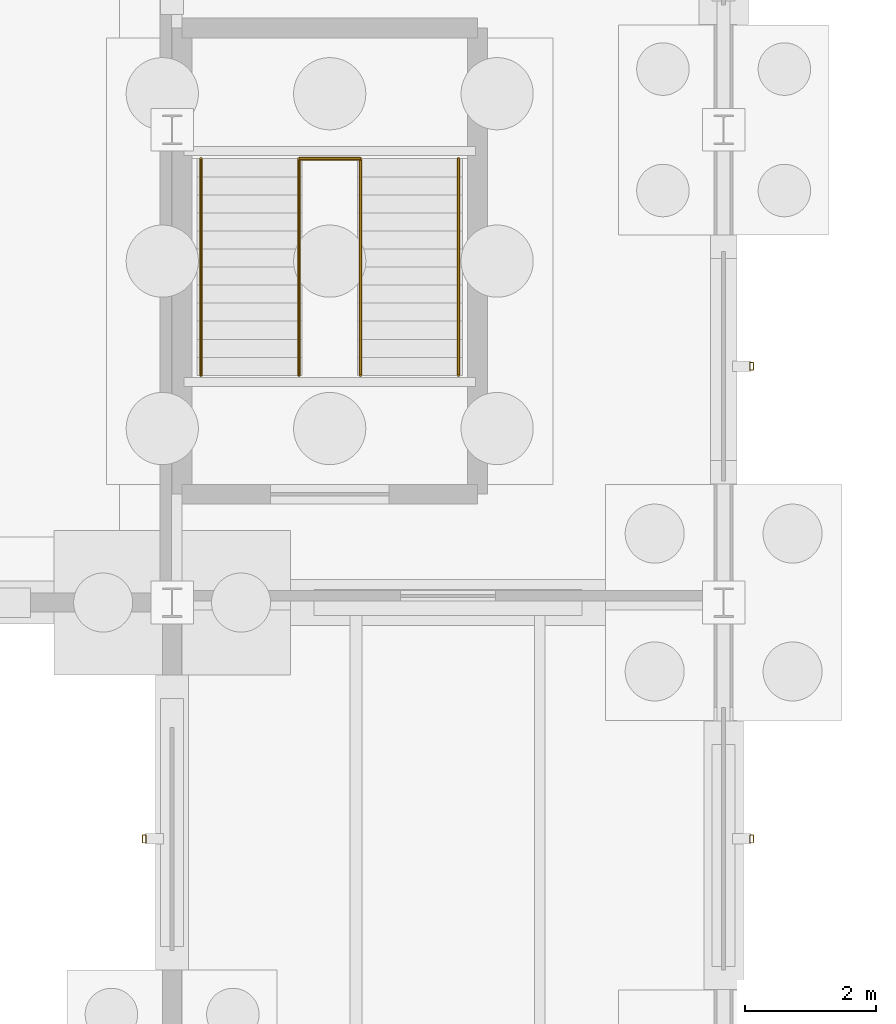
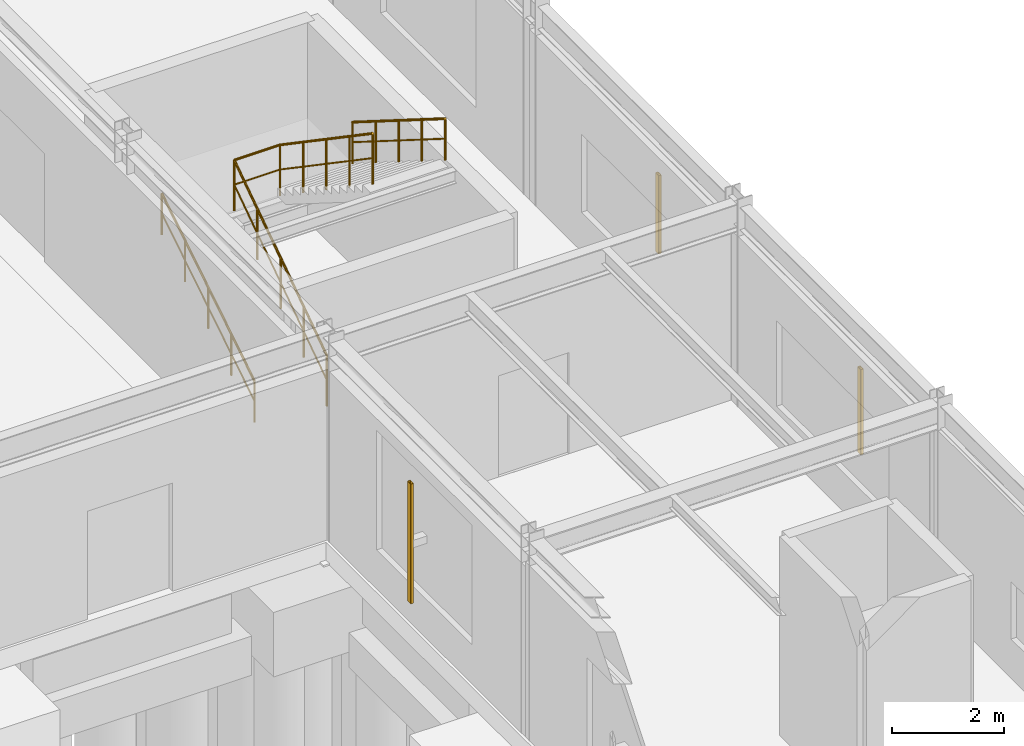
# One storey, part 82 of 93: 5 railings, 3 shading devices.
"""IFC4 building model written with IfcOpenShell, lengths in metres."""

from ifc_helpers import new_model, si_unit, derived_unit, direction, frame, origin, origin_2d, place, context, subcontext, project, spatial, hollow_rectangle, circle, extrude, material, material_profile, profile_set, type_object, element, save


model = new_model("IFC4")

# Units and contexts
model_context = context("Model", 3, precision=1e-05, world=origin(), true_north=direction((0.0, 1.0)))
body_context = subcontext(model_context, "Body", "Model", "MODEL_VIEW")
ifc_project = project(units=[si_unit("LENGTHUNIT", "METRE"), si_unit("AREAUNIT", "SQUARE_METRE"), si_unit("VOLUMEUNIT", "CUBIC_METRE"), si_unit("PLANEANGLEUNIT", "RADIAN"), si_unit("MASSUNIT", "GRAM", prefix="KILO"), derived_unit("THERMALTRANSMITTANCEUNIT", [(si_unit("MASSUNIT", "GRAM", prefix="KILO"), 1), (si_unit("TIMEUNIT", "SECOND"), -3), (si_unit("THERMODYNAMICTEMPERATUREUNIT", "KELVIN"), -1)])], contexts=[model_context])

# Site, building, storey
site_placement = place(None, origin())
site = spatial("IfcSite", under=ifc_project, at=site_placement, CompositionType="ELEMENT")
building_placement = place(site_placement, origin())
building = spatial("IfcBuilding", under=site, at=building_placement, Name="Kharveza Railside Sports Centre", CompositionType="ELEMENT")
storey_placement = place(building_placement, origin())
storey = spatial("IfcBuildingStorey", under=building, at=storey_placement, Name="L00", CompositionType="ELEMENT", Elevation=0.0)

# Railings
ifc_material_1 = material(Name="Steel S275JR", Category="steel")
railing_type_1 = type_object("IfcRailingType", Name="RL-GD110", PredefinedType="GUARDRAIL", material=ifc_material_1)
railing_1_placement = place(storey_placement, frame((18.72998046875, 89.860107421875, 0.0)))
element("IfcRailing", 1, at=railing_1_placement, inside=storey, type_object=railing_type_1, Name="STR-ST6-L00-GD1", PredefinedType="GUARDRAIL", context=body_context, shape_type="SweptSolid", body=[
    extrude(circle(Radius=0.02392578125, at=origin_2d()), frame((0.0, 0.0, 1.09619140625), z_axis=(0.0, 0.826211823288, 0.56335958593), x_axis=(-1.0, 0.0, 0.0)), (0.0, 0.0, 1.0), 3.993896484375),
    extrude(circle(Radius=0.01611328125, at=origin_2d()), frame((0.0, 0.0, 0.56005859375), z_axis=(0.0, 0.826211823288, 0.56335958593), x_axis=(-1.0, 0.0, 0.0)), (0.0, 0.0, 1.0), 3.993896484375),
    extrude(circle(Radius=0.02099609375, at=origin_2d()), origin(), (0.0, 0.0, 1.0), 1.072021484375),
    extrude(circle(Radius=0.02099609375, at=origin_2d()), frame((0.0, 0.824951171875, 0.5625)), (0.0, 0.0, 1.0), 1.072021484375),
    extrude(circle(Radius=0.02099609375, at=origin_2d()), frame((0.0, 1.64990234375, 1.125)), (0.0, 0.0, 1.0), 1.072021484375),
    extrude(circle(Radius=0.02099609375, at=origin_2d()), frame((0.0, 2.474853515625, 1.6875)), (0.0, 0.0, 1.0), 1.072021484375),
    extrude(circle(Radius=0.02099609375, at=origin_2d()), frame((0.0, 3.2998046875, 2.25)), (0.0, 0.0, 1.0), 1.072021484375),
])
railing_2_placement = place(storey_placement, frame((19.669921875, 93.159912109375, 2.25)))
element("IfcRailing", 2, at=railing_2_placement, inside=storey, type_object=railing_type_1, Name="STR-ST6-L00-GD2", PredefinedType="GUARDRAIL", context=body_context, shape_type="SweptSolid", body=[
    extrude(circle(Radius=0.02392578125, at=origin_2d()), frame((0.0, 0.0, 1.09619140625), z_axis=(0.0, -0.826211823288, 0.56335958593), x_axis=(1.0, 0.0, 0.0)), (0.0, 0.0, 1.0), 3.993896484375),
    extrude(circle(Radius=0.01611328125, at=origin_2d()), frame((0.0, 0.0, 0.56005859375), z_axis=(0.0, -0.826211823288, 0.56335958593), x_axis=(1.0, 0.0, 0.0)), (0.0, 0.0, 1.0), 3.993896484375),
    extrude(circle(Radius=0.02099609375, at=origin_2d()), origin(), (0.0, 0.0, 1.0), 1.072021484375),
    extrude(circle(Radius=0.02099609375, at=origin_2d()), frame((0.0, -0.824951171875, 0.5625)), (0.0, 0.0, 1.0), 1.072021484375),
    extrude(circle(Radius=0.02099609375, at=origin_2d()), frame((0.0, -1.64990234375, 1.125)), (0.0, 0.0, 1.0), 1.072021484375),
    extrude(circle(Radius=0.02099609375, at=origin_2d()), frame((0.0, -2.474853515625, 1.6875)), (0.0, 0.0, 1.0), 1.072021484375),
    extrude(circle(Radius=0.02099609375, at=origin_2d()), frame((0.0, -3.2998046875, 2.25)), (0.0, 0.0, 1.0), 1.072021484375),
])
railing_3_placement = place(storey_placement, frame((18.72998046875, 93.159912109375, 2.25)))
element("IfcRailing", 3, at=railing_3_placement, inside=storey, type_object=railing_type_1, Name="STR-ST6-L00-GDH", PredefinedType="GUARDRAIL", context=body_context, shape_type="SweptSolid", body=[
    extrude(circle(Radius=0.02392578125, at=origin_2d()), frame((0.0, 0.0, 1.09619140625), z_axis=(1.0, 0.0, 0.0), x_axis=(0.0, 1.0, 0.0)), (0.0, 0.0, 1.0), 0.93994140625),
    extrude(circle(Radius=0.01611328125, at=origin_2d()), frame((0.0, 0.0, 0.56005859375), z_axis=(1.0, 0.0, 0.0), x_axis=(0.0, 1.0, 0.0)), (0.0, 0.0, 1.0), 0.93994140625),
    extrude(circle(Radius=0.02099609375, at=origin_2d()), origin(), (0.0, 0.0, 1.0), 1.072021484375),
    extrude(circle(Radius=0.02099609375, at=origin_2d()), frame((0.93994140625, 0.0, 0.0)), (0.0, 0.0, 1.0), 1.072021484375),
])
railing_type_2 = type_object("IfcRailingType", Name="RL-HR092", PredefinedType="HANDRAIL", material=ifc_material_1)
railing_4_placement = place(storey_placement, frame((17.239990234375, 89.860107421875, 0.173095703125)))
element("IfcRailing", 4, at=railing_4_placement, inside=storey, type_object=railing_type_2, Name="STR-ST6-L00-HR1", PredefinedType="HANDRAIL", context=body_context, shape_type="SweptSolid", body=[
    extrude(circle(Radius=0.02392578125, at=origin_2d()), frame((0.0, 0.0, 0.89599609375), z_axis=(0.0, 0.846319618018, 0.532675421018), x_axis=(-1.0, 0.0, 0.0)), (0.0, 0.0, 1.0), 3.89892578125),
    extrude(circle(Radius=0.01611328125, at=origin_2d()), frame((0.0, 0.0, 0.4599609375), z_axis=(0.0, 0.846319618018, 0.532675421018), x_axis=(-1.0, 0.0, 0.0)), (0.0, 0.0, 1.0), 3.89892578125),
    extrude(circle(Radius=0.02099609375, at=origin_2d()), origin(), (0.0, 0.0, 1.0), 0.871826171875),
    extrude(circle(Radius=0.02099609375, at=origin_2d()), frame((0.0, 0.824951171875, 0.519287109375)), (0.0, 0.0, 1.0), 0.871826171875),
    extrude(circle(Radius=0.02099609375, at=origin_2d()), frame((0.0, 1.64990234375, 1.03857421875)), (0.0, 0.0, 1.0), 0.871826171875),
    extrude(circle(Radius=0.02099609375, at=origin_2d()), frame((0.0, 2.474853515625, 1.5576171875)), (0.0, 0.0, 1.0), 0.871826171875),
    extrude(circle(Radius=0.02099609375, at=origin_2d()), frame((0.0, 3.2998046875, 2.076904296875)), (0.0, 0.0, 1.0), 0.871826171875),
])
railing_5_placement = place(storey_placement, frame((21.159912109375, 93.159912109375, 2.423095703125)))
element("IfcRailing", 5, at=railing_5_placement, inside=storey, type_object=railing_type_2, Name="STR-ST6-L00-HR2", PredefinedType="HANDRAIL", context=body_context, shape_type="SweptSolid", body=[
    extrude(circle(Radius=0.02392578125, at=origin_2d()), frame((0.0, 0.0, 0.89599609375), z_axis=(0.0, -0.846319618018, 0.532675421018), x_axis=(1.0, 0.0, 0.0)), (0.0, 0.0, 1.0), 3.89892578125),
    extrude(circle(Radius=0.01611328125, at=origin_2d()), frame((0.0, 0.0, 0.4599609375), z_axis=(0.0, -0.846319618018, 0.532675421018), x_axis=(1.0, 0.0, 0.0)), (0.0, 0.0, 1.0), 3.89892578125),
    extrude(circle(Radius=0.02099609375, at=origin_2d()), origin(), (0.0, 0.0, 1.0), 0.871826171875),
    extrude(circle(Radius=0.02099609375, at=origin_2d()), frame((0.0, -0.824951171875, 0.519287109375)), (0.0, 0.0, 1.0), 0.871826171875),
    extrude(circle(Radius=0.02099609375, at=origin_2d()), frame((0.0, -1.64990234375, 1.03857421875)), (0.0, 0.0, 1.0), 0.871826171875),
    extrude(circle(Radius=0.02099609375, at=origin_2d()), frame((0.0, -2.474853515625, 1.5576171875)), (0.0, 0.0, 1.0), 0.871826171875),
    extrude(circle(Radius=0.02099609375, at=origin_2d()), frame((0.0, -3.2998046875, 2.076904296875)), (0.0, 0.0, 1.0), 0.871826171875),
])

# Shading devices
ifc_material_2 = material(Name="Anodised aluminium 6063-T6", Category="aluminium")
ifc_material_profile = material_profile(ifc_material_2, hollow_rectangle(XDim=0.06005859375, YDim=0.1201171875, WallThickness=0.0048828125, InnerFilletRadius=0.0048828125, OuterFilletRadius=0.010009765625, at=origin_2d()), Name="RHS 60x120x5.0")
ifc_profile_set = profile_set([ifc_material_profile], Name="Anodised aluminium 6063-T6")
shading_device_type = type_object("IfcShadingDeviceType", Name="SD-LV01", PredefinedType="JALOUSIE", material=ifc_profile_set)
shading_device_1_placement = place(storey_placement, frame((16.375, 82.800048828125, 0.85009765625), z_axis=(0.0, 0.0, 1.0), x_axis=(-1.0, 0.0, 0.0)))
element("IfcShadingDevice", 6, at=shading_device_1_placement, inside=storey, type_object=shading_device_type, Name="SD-FIN-017", PredefinedType="JALOUSIE", context=body_context, shape_type="SweptSolid", body=[
    extrude(hollow_rectangle(XDim=0.06005859375, YDim=0.1201171875, WallThickness=0.0048828125, InnerFilletRadius=0.0048828125, OuterFilletRadius=0.010009765625, at=origin_2d()), origin(), (0.0, 0.0, 1.0), 2.599853515625),
])
shading_device_2_placement = place(storey_placement, frame((25.625, 82.800048828125, 0.85009765625), z_axis=(0.0, 0.0, 1.0), x_axis=(1.0, 0.0, 0.0)))
element("IfcShadingDevice", 7, at=shading_device_2_placement, inside=storey, type_object=shading_device_type, Name="SD-FIN-021", PredefinedType="JALOUSIE", context=body_context, shape_type="SweptSolid", body=[
    extrude(hollow_rectangle(XDim=0.06005859375, YDim=0.1201171875, WallThickness=0.0048828125, InnerFilletRadius=0.0048828125, OuterFilletRadius=0.010009765625, at=origin_2d()), origin(), (0.0, 0.0, 1.0), 1.849853515625),
])
shading_device_3_placement = place(storey_placement, frame((25.625, 90.0, 0.85009765625), z_axis=(0.0, 0.0, 1.0), x_axis=(1.0, 0.0, 0.0)))
element("IfcShadingDevice", 8, at=shading_device_3_placement, inside=storey, type_object=shading_device_type, Name="SD-FIN-022", PredefinedType="JALOUSIE", context=body_context, shape_type="SweptSolid", body=[
    extrude(hollow_rectangle(XDim=0.06005859375, YDim=0.1201171875, WallThickness=0.0048828125, InnerFilletRadius=0.0048828125, OuterFilletRadius=0.010009765625, at=origin_2d()), origin(), (0.0, 0.0, 1.0), 1.699951171875),
])

save(model, "model.ifc")
